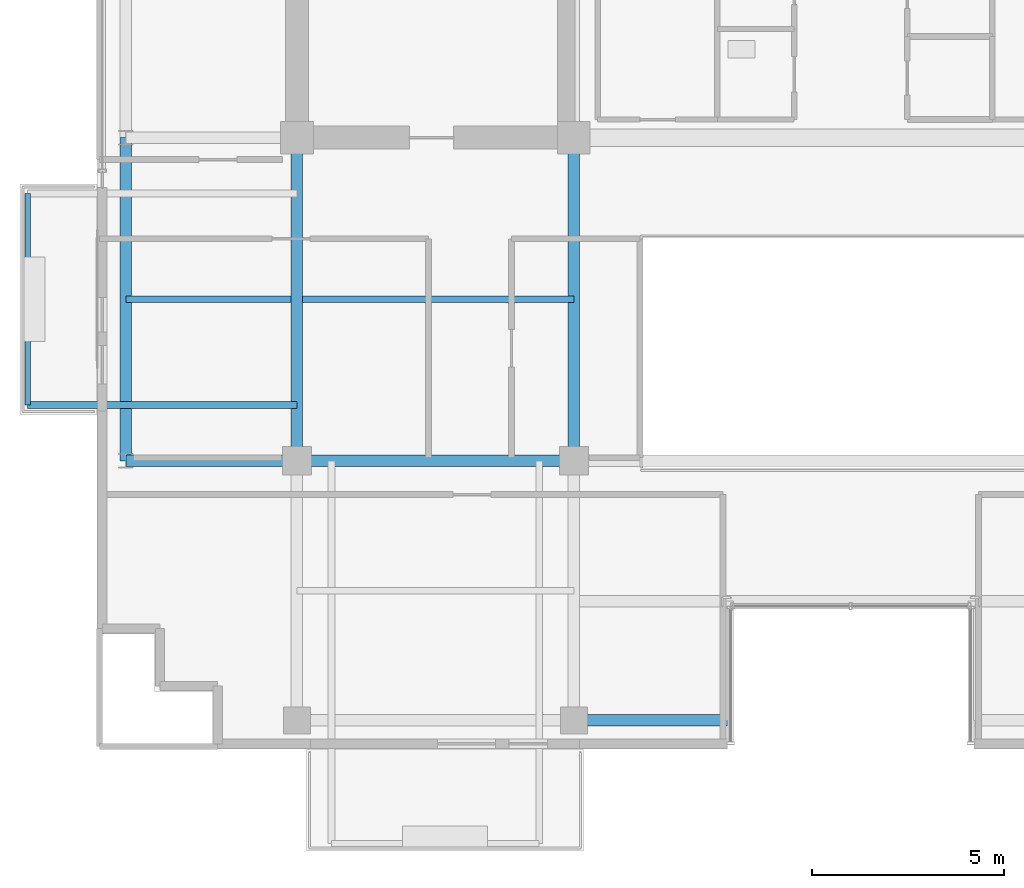
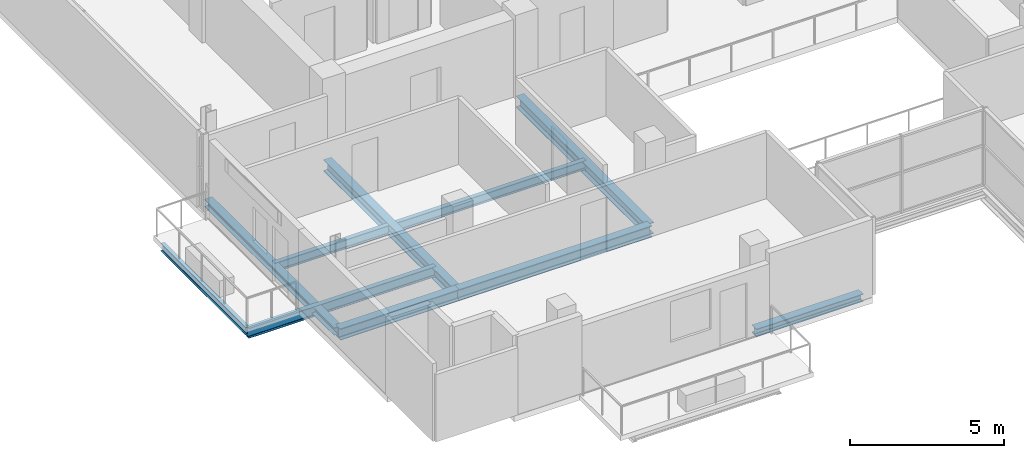
# One storey, part 2 of 21: 10 beams.
"""IFC4 building model written with IfcOpenShell, lengths in metres."""

from ifc_helpers import new_model, si_unit, direction, frame, origin, origin_2d, place, context, subcontext, project, spatial, i_section, extrude, material, material_profile, profile_set, type_object, element, save


model = new_model("IFC4")

# Units and contexts
model_context = context("Model", 3, precision=1e-05, world=origin(), true_north=direction((0.0, 1.0)))
body_context = subcontext(model_context, "Body", "Model", "MODEL_VIEW")
ifc_project = project(units=[si_unit("LENGTHUNIT", "METRE"), si_unit("AREAUNIT", "SQUARE_METRE"), si_unit("VOLUMEUNIT", "CUBIC_METRE"), si_unit("PLANEANGLEUNIT", "RADIAN"), si_unit("MASSUNIT", "GRAM", prefix="KILO")], contexts=[model_context])

# Site, building, storey
site_placement = place(None, origin())
site = spatial("IfcSite", under=ifc_project, at=site_placement, CompositionType="ELEMENT")
building_placement = place(site_placement, origin())
building = spatial("IfcBuilding", under=site, at=building_placement, Name="Zarnakvel Exchange Tower", CompositionType="ELEMENT")
storey_placement = place(building_placement, frame((0.0, 0.0, 241.89990234375)))
storey = spatial("IfcBuildingStorey", under=building, at=storey_placement, Name="L68", CompositionType="ELEMENT", Elevation=241.89990234375)

# Beams
ifc_material = material(Name="Steel S355", Category="steel")
ifc_material_profile_1 = material_profile(ifc_material, i_section(OverallWidth=0.179931640625, OverallDepth=0.39990234375, WebThickness=0.008544921875, FlangeThickness=0.013427734375, FilletRadius=0.02099609375, at=origin_2d()))
ifc_profile_set_1 = profile_set([ifc_material_profile_1], Name="Steel S355")
beam_type_1 = type_object("IfcBeamType", Name="B-06", PredefinedType="JOIST", material=ifc_profile_set_1)
beam_1_placement = place(storey_placement, frame((-14.39990234375, -8.14990234375, -0.4248046875), z_axis=(-1.0, 0.0, 0.0), x_axis=(0.0, -1.0, 0.0)))
element("IfcBeam", 1, at=beam_1_placement, inside=storey, type_object=beam_type_1, Name="L68 Continuous West Loggia Beam S", PredefinedType="JOIST", context=body_context, shape_type="SweptSolid", body=[
    extrude(i_section(OverallWidth=0.179931640625, OverallDepth=0.39990234375, WebThickness=0.008544921875, FlangeThickness=0.013427734375, FilletRadius=0.02099609375, at=origin_2d()), origin(), (0.0, 0.0, 1.0), 7.0),
])
ifc_material_profile_2 = material_profile(ifc_material, i_section(OverallWidth=0.169921875, OverallDepth=0.360107421875, WebThickness=0.008056640625, FlangeThickness=0.0126953125, FilletRadius=0.01806640625, at=origin_2d()))
ifc_profile_set_2 = profile_set([ifc_material_profile_2], Name="Steel S355")
beam_type_2 = type_object("IfcBeamType", Name="B-07", PredefinedType="JOIST", material=ifc_profile_set_2)
beam_2_placement = place(storey_placement, frame((-18.85009765625, -5.39990234375, -0.40478515625), z_axis=(1.0, 0.0, 0.0), x_axis=(0.0, 1.0, 0.0)))
element("IfcBeam", 2, at=beam_2_placement, inside=storey, type_object=beam_type_2, Name="L68 Composite Floor Secondary Joist", PredefinedType="JOIST", context=body_context, shape_type="SweptSolid", body=[
    extrude(i_section(OverallWidth=0.169921875, OverallDepth=0.360107421875, WebThickness=0.008056640625, FlangeThickness=0.0126953125, FilletRadius=0.01806640625, at=origin_2d()), origin(), (0.0, 0.0, 1.0), 4.300048828125),
])
beam_3_placement = place(storey_placement, frame((-14.25, -5.39990234375, -0.40478515625), z_axis=(1.0, 0.0, 0.0), x_axis=(0.0, 1.0, 0.0)))
element("IfcBeam", 3, at=beam_3_placement, inside=storey, type_object=beam_type_2, Name="L68 Composite Floor Secondary Joist", PredefinedType="JOIST", context=body_context, shape_type="SweptSolid", body=[
    extrude(i_section(OverallWidth=0.169921875, OverallDepth=0.360107421875, WebThickness=0.008056640625, FlangeThickness=0.0126953125, FilletRadius=0.01806640625, at=origin_2d()), origin(), (0.0, 0.0, 1.0), 7.050048828125),
])
ifc_material_profile_3 = material_profile(ifc_material, i_section(OverallWidth=0.14990234375, OverallDepth=0.300048828125, WebThickness=0.007080078125, FlangeThickness=0.0107421875, FilletRadius=0.014892578125, at=origin_2d()))
ifc_profile_set_3 = profile_set([ifc_material_profile_3], Name="Steel S355")
beam_type_3 = type_object("IfcBeamType", Name="B-08", PredefinedType="JOIST", material=ifc_profile_set_3)
beam_4_placement = place(storey_placement, frame((-21.39990234375, -8.14990234375, -0.375), z_axis=(0.0, 1.0, 0.0), x_axis=(-1.0, 0.0, 0.0)))
element("IfcBeam", 4, at=beam_4_placement, inside=storey, type_object=beam_type_3, Name="L68 West Loggia Edge Beam", PredefinedType="JOIST", context=body_context, shape_type="SweptSolid", body=[
    extrude(i_section(OverallWidth=0.14990234375, OverallDepth=0.300048828125, WebThickness=0.007080078125, FlangeThickness=0.0107421875, FilletRadius=0.014892578125, at=origin_2d()), origin(), (0.0, 0.0, 1.0), 5.5),
])
ifc_material_profile_4 = material_profile(ifc_material, i_section(OverallWidth=0.300048828125, OverallDepth=0.449951171875, WebThickness=0.013916015625, FlangeThickness=0.02587890625, FilletRadius=0.027099609375, at=origin_2d()))
ifc_profile_set_4 = profile_set([ifc_material_profile_4], Name="Steel S355")
beam_type_4 = type_object("IfcBeamType", Name="G-07", PredefinedType="BEAM", material=ifc_profile_set_4)
beam_5_placement = place(storey_placement, frame((-18.85009765625, -9.60009765625, -0.449951171875), z_axis=(1.0, 0.0, 0.0), x_axis=(0.0, 1.0, 0.0)))
element("IfcBeam", 5, at=beam_5_placement, inside=storey, type_object=beam_type_4, Name="L68 Tower E-W Frame Beam", PredefinedType="BEAM", context=body_context, shape_type="SweptSolid", body=[
    extrude(i_section(OverallWidth=0.300048828125, OverallDepth=0.449951171875, WebThickness=0.013916015625, FlangeThickness=0.02587890625, FilletRadius=0.027099609375, at=origin_2d()), origin(), (0.0, 0.0, 1.0), 4.4501953125),
])
beam_6_placement = place(storey_placement, frame((-14.39990234375, -9.60009765625, -0.449951171875), z_axis=(1.0, 0.0, 0.0), x_axis=(0.0, 1.0, 0.0)))
element("IfcBeam", 6, at=beam_6_placement, inside=storey, type_object=beam_type_4, Name="L68 Tower E-W Frame Beam", PredefinedType="BEAM", context=body_context, shape_type="SweptSolid", body=[
    extrude(i_section(OverallWidth=0.300048828125, OverallDepth=0.449951171875, WebThickness=0.013916015625, FlangeThickness=0.02587890625, FilletRadius=0.027099609375, at=origin_2d()), origin(), (0.0, 0.0, 1.0), 7.199951171875),
])
for number, where, z_axis, x_axis, name in (
    (7, (-14.39990234375, -9.60009765625, -0.449951171875), (0.0, 1.0, 0.0), (-1.0, 0.0, 0.0), "L68 Tower N-S Frame Beam"),
    (8, (-7.199951171875, -9.60009765625, -0.449951171875), (0.0, 1.0, 0.0), (-1.0, 0.0, 0.0), "L68 Tower N-S Frame Beam"),
):
    element("IfcBeam", number, at=place(storey_placement, frame(where, z_axis=z_axis, x_axis=x_axis)), inside=storey, type_object=beam_type_4, Name=name, PredefinedType="BEAM", context=body_context, shape_type="SweptSolid", body=[
        extrude(i_section(OverallWidth=0.300048828125, OverallDepth=0.449951171875, WebThickness=0.013916015625, FlangeThickness=0.02587890625, FilletRadius=0.027099609375, at=origin_2d()), origin(), (0.0, 0.0, 1.0), 8.400146484375),
    ])
ifc_material_profile_5 = material_profile(ifc_material, i_section(OverallWidth=0.300048828125, OverallDepth=0.300048828125, WebThickness=0.010986328125, FlangeThickness=0.01904296875, FilletRadius=0.027099609375, at=origin_2d()))
ifc_profile_set_5 = profile_set([ifc_material_profile_5], Name="Steel S355")
beam_type_5 = type_object("IfcBeamType", Name="SP-03", PredefinedType="SPANDREL", material=ifc_profile_set_5)
beam_7_placement = place(storey_placement, frame((-7.199951171875, -16.35009765625, -0.375), z_axis=(1.0, 0.0, 0.0), x_axis=(0.0, 1.0, 0.0)))
element("IfcBeam", 9, at=beam_7_placement, inside=storey, type_object=beam_type_5, Name="L68 South Slot West Jamb Spandrel", PredefinedType="SPANDREL", context=body_context, shape_type="SweptSolid", body=[
    extrude(i_section(OverallWidth=0.300048828125, OverallDepth=0.300048828125, WebThickness=0.010986328125, FlangeThickness=0.01904296875, FilletRadius=0.027099609375, at=origin_2d()), origin(), (0.0, 0.0, 1.0), 4.0),
])
beam_8_placement = place(storey_placement, frame((-18.85009765625, -9.60009765625, -0.375), z_axis=(0.0, 1.0, 0.0), x_axis=(-1.0, 0.0, 0.0)))
element("IfcBeam", 10, at=beam_8_placement, inside=storey, type_object=beam_type_5, Name="L68 Tower N-S Frame Beam", PredefinedType="SPANDREL", context=body_context, shape_type="SweptSolid", body=[
    extrude(i_section(OverallWidth=0.300048828125, OverallDepth=0.300048828125, WebThickness=0.010986328125, FlangeThickness=0.01904296875, FilletRadius=0.027099609375, at=origin_2d()), origin(), (0.0, 0.0, 1.0), 8.400146484375),
])

save(model, "model.ifc")
